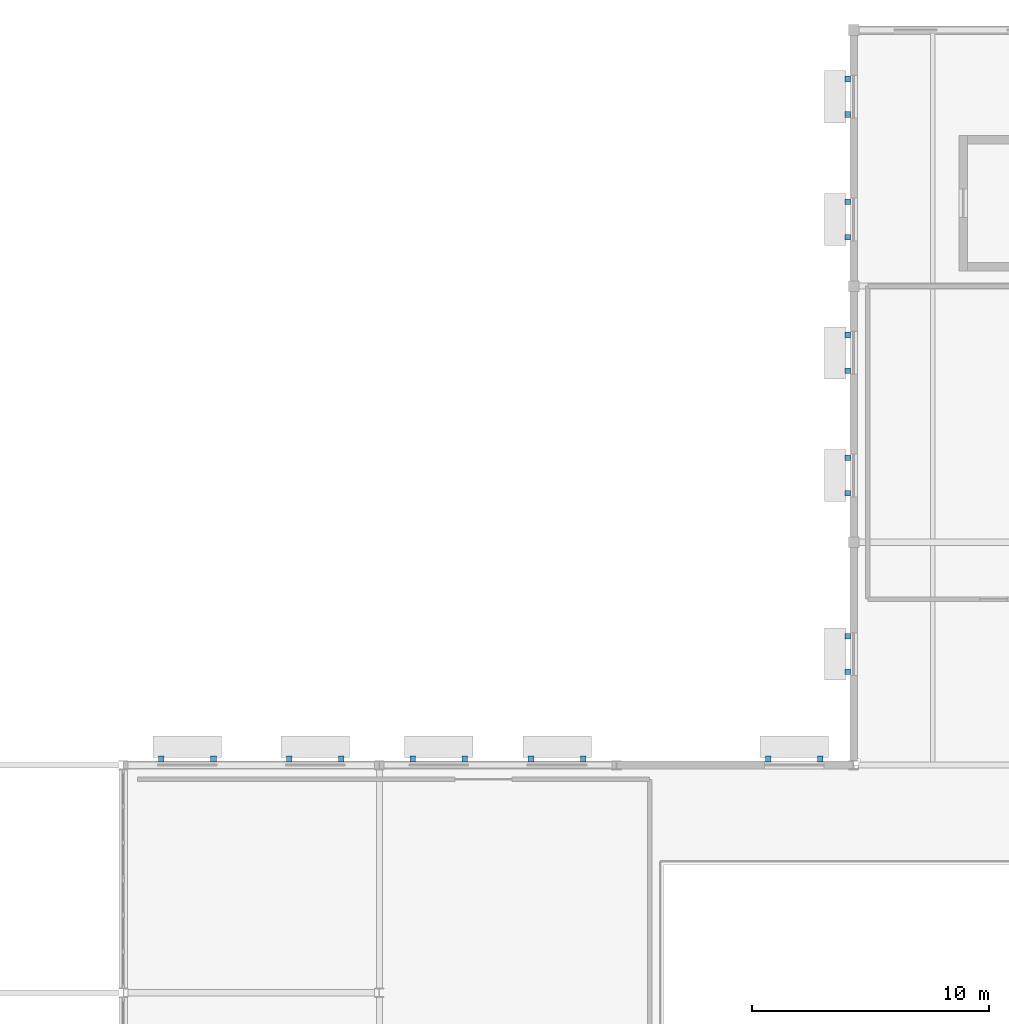
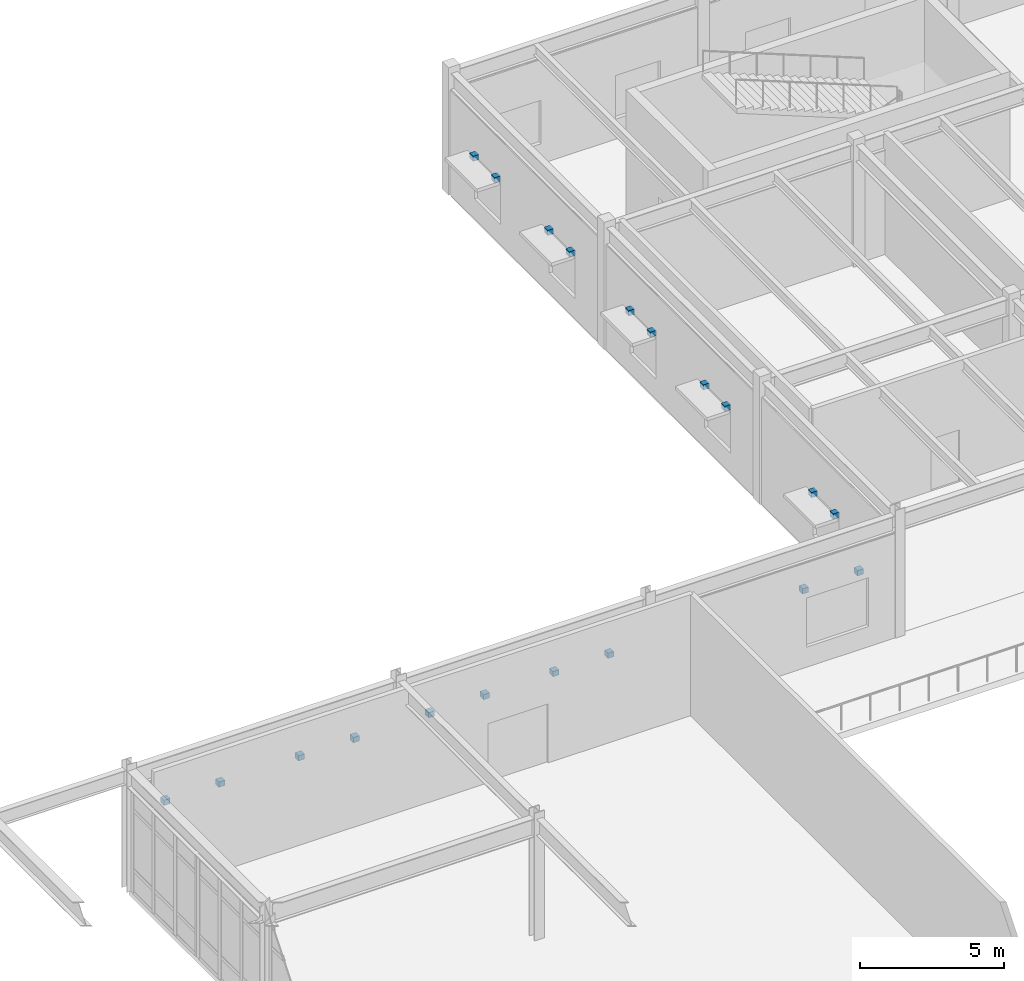
# One storey, part 59 of 72: 20 discrete accessories.
"""IFC4 building model written with IfcOpenShell, lengths in metres."""

from ifc_helpers import new_model, si_unit, direction, frame, origin, origin_2d, place, context, subcontext, project, spatial, rectangle, extrude, material, type_object, element, save


model = new_model("IFC4")

# Units and contexts
model_context = context("Model", 3, precision=1e-05, world=origin(), true_north=direction((0.0, 1.0)))
body_context = subcontext(model_context, "Body", "Model", "MODEL_VIEW")
ifc_project = project(units=[si_unit("LENGTHUNIT", "METRE"), si_unit("AREAUNIT", "SQUARE_METRE"), si_unit("VOLUMEUNIT", "CUBIC_METRE"), si_unit("PLANEANGLEUNIT", "RADIAN"), si_unit("MASSUNIT", "GRAM", prefix="KILO")], contexts=[model_context])

# Site, building, storey
site_placement = place(None, origin())
site = spatial("IfcSite", under=ifc_project, at=site_placement, CompositionType="ELEMENT")
building_placement = place(site_placement, origin())
building = spatial("IfcBuilding", under=site, at=building_placement, Name="Veldera Park Congress Hotel", CompositionType="ELEMENT")
storey_placement = place(building_placement, frame((0.0, 0.0, 5.39990234375)))
storey = spatial("IfcBuildingStorey", under=building, at=storey_placement, Name="L01", CompositionType="ELEMENT", Elevation=5.39990234375)

# Discrete accessories
ifc_material = material(Name="Steel ASTM A992 Gr.50", Category="steel")
discrete_accessory_type = type_object("IfcDiscreteAccessoryType", Name="ACC-BRK160", PredefinedType="BRACKET", material=ifc_material)
for number, where, z_axis, x_axis, name in (
    (1, (-48.8037109375, 27.260009765625, 2.89990234375), (0.0, 0.0, 1.0), (-1.0, 0.0, 0.0), "Shading Steel Outrigger Bracket 39L"),
    (2, (-51.003662109375, 27.260009765625, 2.89990234375), (0.0, 0.0, 1.0), (-1.0, 0.0, 0.0), "Shading Steel Outrigger Bracket 39R"),
    (3, (-58.802978515625, 27.260009765625, 2.89990234375), (0.0, 0.0, 1.0), (-1.0, 0.0, 0.0), "Shading Steel Outrigger Bracket 40L"),
    (4, (-61.0029296875, 27.260009765625, 2.89990234375), (0.0, 0.0, 1.0), (-1.0, 0.0, 0.0), "Shading Steel Outrigger Bracket 40R"),
    (5, (-63.7939453125, 27.260009765625, 2.89990234375), (0.0, 0.0, 1.0), (-1.0, 0.0, 0.0), "Shading Steel Outrigger Bracket 41L"),
    (6, (-65.993896484375, 27.260009765625, 2.89990234375), (0.0, 0.0, 1.0), (-1.0, 0.0, 0.0), "Shading Steel Outrigger Bracket 41R"),
    (7, (-69.006103515625, 27.260009765625, 2.89990234375), (0.0, 0.0, 1.0), (-1.0, 0.0, 0.0), "Shading Steel Outrigger Bracket 42L"),
    (8, (-71.206298828125, 27.260009765625, 2.89990234375), (0.0, 0.0, 1.0), (-1.0, 0.0, 0.0), "Shading Steel Outrigger Bracket 42R"),
    (9, (-74.397705078125, 27.260009765625, 2.89990234375), (0.0, 0.0, 1.0), (-1.0, 0.0, 0.0), "Shading Steel Outrigger Bracket 43L"),
    (10, (-76.59765625, 27.260009765625, 2.89990234375), (0.0, 0.0, 1.0), (-1.0, 0.0, 0.0), "Shading Steel Outrigger Bracket 43R"),
    (11, (-47.64990234375, 55.9384765625, 2.669921875), (0.0, 0.0, 1.0), (0.0, -1.0, 0.0), "Shading Steel Outrigger Bracket 44L"),
    (12, (-47.64990234375, 54.4384765625, 2.669921875), (0.0, 0.0, 1.0), (0.0, -1.0, 0.0), "Shading Steel Outrigger Bracket 44R"),
    (13, (-47.64990234375, 50.761474609375, 2.669921875), (0.0, 0.0, 1.0), (0.0, -1.0, 0.0), "Shading Steel Outrigger Bracket 45L"),
    (14, (-47.64990234375, 49.261474609375, 2.669921875), (0.0, 0.0, 1.0), (0.0, -1.0, 0.0), "Shading Steel Outrigger Bracket 45R"),
    (15, (-47.64990234375, 45.138427734375, 2.669921875), (0.0, 0.0, 1.0), (0.0, -1.0, 0.0), "Shading Steel Outrigger Bracket 46L"),
    (16, (-47.64990234375, 43.638427734375, 2.669921875), (0.0, 0.0, 1.0), (0.0, -1.0, 0.0), "Shading Steel Outrigger Bracket 46R"),
    (17, (-47.64990234375, 39.96142578125, 2.669921875), (0.0, 0.0, 1.0), (0.0, -1.0, 0.0), "Shading Steel Outrigger Bracket 47L"),
    (18, (-47.64990234375, 38.46142578125, 2.669921875), (0.0, 0.0, 1.0), (0.0, -1.0, 0.0), "Shading Steel Outrigger Bracket 47R"),
    (19, (-47.64990234375, 32.432861328125, 2.669921875), (0.0, 0.0, 1.0), (0.0, -1.0, 0.0), "Shading Steel Outrigger Bracket 48L"),
    (20, (-47.64990234375, 30.932861328125, 2.669921875), (0.0, 0.0, 1.0), (0.0, -1.0, 0.0), "Shading Steel Outrigger Bracket 48R"),
):
    element("IfcDiscreteAccessory", number, at=place(storey_placement, frame(where, z_axis=z_axis, x_axis=x_axis)), inside=storey, type_object=discrete_accessory_type, Name=name, PredefinedType="BRACKET", context=body_context, shape_type="SweptSolid", body=[
        extrude(rectangle(XDim=0.239990234375, YDim=0.239990234375, at=origin_2d()), origin(), (0.0, 0.0, 1.0), 0.219970703125),
    ])

save(model, "model.ifc")
